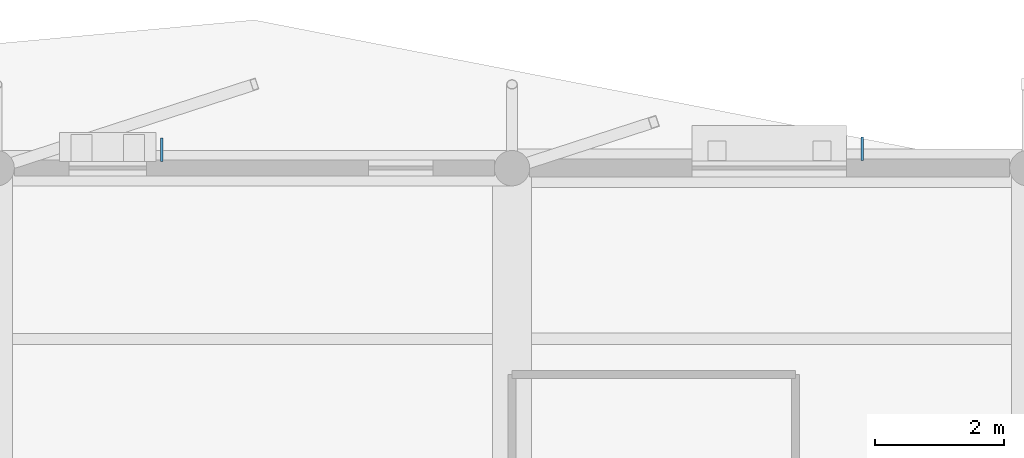
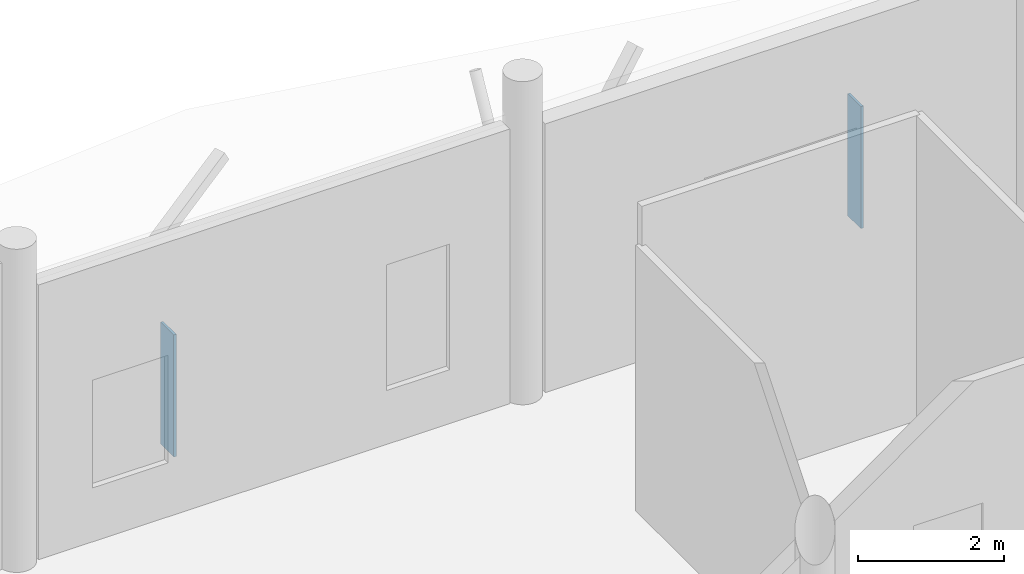
# One storey, part 98 of 122: 2 plates.
"""IFC4 building model written with IfcOpenShell, lengths in metres."""

from ifc_helpers import new_model, si_unit, direction, frame, origin, origin_2d, place, context, subcontext, project, spatial, rectangle, extrude, material, layer, layer_set, type_object, element, save


model = new_model("IFC4")

# Units and contexts
model_context = context("Model", 3, precision=1e-05, world=origin(), true_north=direction((0.0, 1.0)))
body_context = subcontext(model_context, "Body", "Model", "MODEL_VIEW")
ifc_project = project(units=[si_unit("LENGTHUNIT", "METRE"), si_unit("AREAUNIT", "SQUARE_METRE"), si_unit("VOLUMEUNIT", "CUBIC_METRE"), si_unit("PLANEANGLEUNIT", "RADIAN"), si_unit("MASSUNIT", "GRAM", prefix="KILO")], contexts=[model_context])

# Site, building, storey
site_placement = place(None, origin())
site = spatial("IfcSite", under=ifc_project, at=site_placement, CompositionType="ELEMENT")
building_placement = place(site_placement, origin())
building = spatial("IfcBuilding", under=site, at=building_placement, Name="Tenunan Teduh Sports Hall", CompositionType="ELEMENT")
storey_placement = place(building_placement, frame((0.0, 0.0, 5.39990234375)))
storey = spatial("IfcBuildingStorey", under=building, at=storey_placement, Name="L01", CompositionType="ELEMENT", Elevation=5.39990234375)

# Plates
ifc_material = material(Name="Anodised aluminium", Category="aluminium")
ifc_layer = layer(ifc_material, 1.89990234375)
ifc_layer_set = layer_set([ifc_layer], Name="Anodised aluminium")
plate_type = type_object("IfcPlateType", Name="PLT-FIN-1", PredefinedType="SHEET", material=ifc_layer_set)
for number, where, z_axis, x_axis, name in (
    (1, (140.56494140625, 118.284912109375, 0.780029296875), (0.0, 0.0, 1.0), (1.0, 0.0, 0.0), "PLT-FIN-L01-087"),
    (2, (151.43505859375, 118.300048828125, 0.780029296875), (0.0, 0.0, 1.0), (1.0, 0.0, 0.0), "PLT-FIN-L01-088"),
):
    element("IfcPlate", number, at=place(storey_placement, frame(where, z_axis=z_axis, x_axis=x_axis)), inside=storey, type_object=plate_type, Name=name, PredefinedType="SHEET", context=body_context, shape_type="SweptSolid", body=[
        extrude(rectangle(XDim=0.0400390625, YDim=0.360107421875, at=origin_2d()), origin(), (0.0, 0.0, 1.0), 2.0400390625),
    ])

save(model, "model.ifc")
